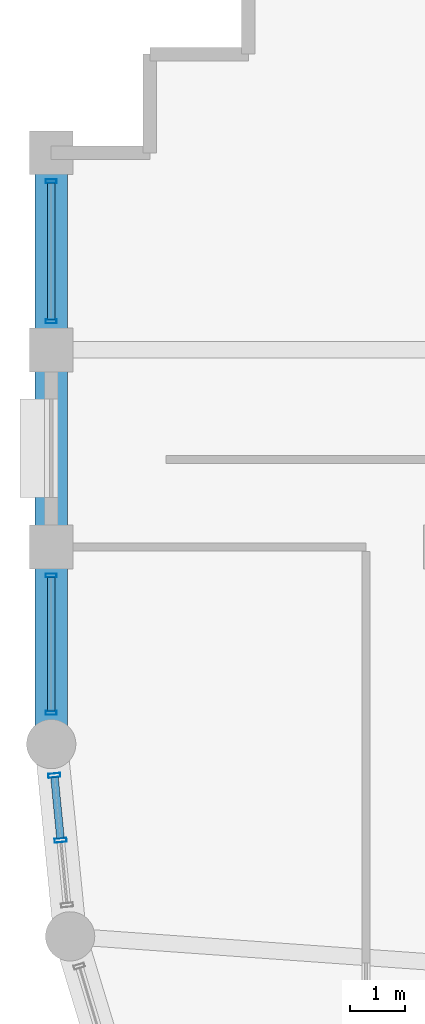
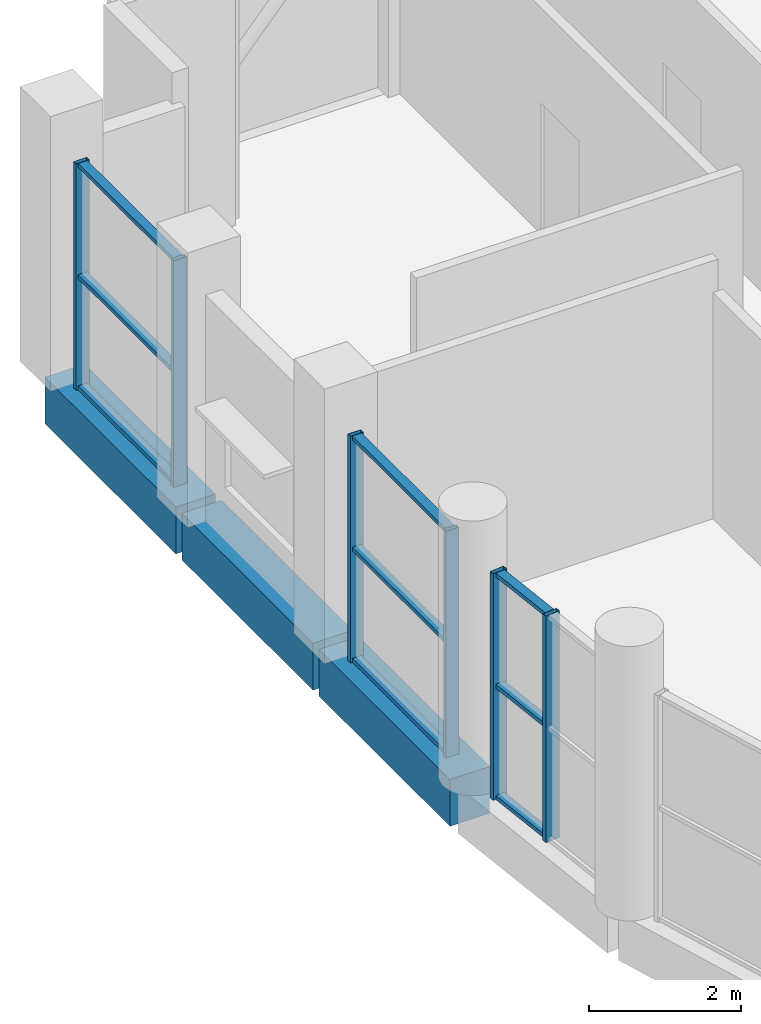
# One storey, part 6 of 18: 15 members, 3 beams, 3 elements without a shape of their own.
"""IFC4 building model written with IfcOpenShell, lengths in metres."""

from ifc_helpers import new_model, si_unit, direction, frame, origin, origin_2d, place, context, subcontext, project, spatial, rectangle, hollow_rectangle, extrude, material, layer, layer_set, material_profile, profile_set, type_object, element, aggregate, save


model = new_model("IFC4")

# Units and contexts
model_context = context("Model", 3, precision=1e-05, world=origin(), true_north=direction((0.0, 1.0)))
body_context = subcontext(model_context, "Body", "Model", "MODEL_VIEW")
ifc_project = project(units=[si_unit("LENGTHUNIT", "METRE"), si_unit("AREAUNIT", "SQUARE_METRE"), si_unit("VOLUMEUNIT", "CUBIC_METRE"), si_unit("PLANEANGLEUNIT", "RADIAN"), si_unit("MASSUNIT", "GRAM", prefix="KILO")], contexts=[model_context])

# Site, building, storey
site_placement = place(None, origin())
site = spatial("IfcSite", under=ifc_project, at=site_placement, CompositionType="ELEMENT")
building_placement = place(site_placement, origin())
building = spatial("IfcBuilding", under=site, at=building_placement, Name="Solnavia Interchange Tower", CompositionType="ELEMENT")
storey_placement = place(building_placement, frame((0.0, 0.0, 295.39990234375)))
storey = spatial("IfcBuildingStorey", under=building, at=storey_placement, Name="L75", CompositionType="ELEMENT", Elevation=295.39990234375)

# Beams
ifc_material_1 = material(Name="Concrete C50/60", Category="concrete")
ifc_material_profile_1 = material_profile(ifc_material_1, rectangle(XDim=0.60009765625, YDim=0.75, at=origin_2d()), Name="RC 600x750")
ifc_profile_set_1 = profile_set([ifc_material_profile_1], Name="Concrete C50/60")
beam_type = type_object("IfcBeamType", Name="Beam-Spandrel-RC600x750", PredefinedType="SPANDREL", material=ifc_profile_set_1)
beam_1_placement = place(storey_placement, frame((7.199951171875, 32.320068359375, -0.375), z_axis=(0.0, -1.0, 0.0), x_axis=(1.0, 0.0, 0.0)))
element("IfcBeam", 1, at=beam_1_placement, inside=storey, type_object=beam_type, Name="SPB-L75-25 Framed-tube perimeter spandrel beam", PredefinedType="SPANDREL", context=body_context, shape_type="SweptSolid", body=[
    extrude(rectangle(XDim=0.60009765625, YDim=0.75, at=origin_2d()), origin(), (0.0, 0.0, 1.0), 3.440185546875),
])
beam_2_placement = place(storey_placement, frame((7.199951171875, 28.719970703125, -0.375), z_axis=(0.0, -1.0, 0.0), x_axis=(1.0, 0.0, 0.0)))
element("IfcBeam", 2, at=beam_2_placement, inside=storey, type_object=beam_type, Name="SPB-L75-26 Framed-tube perimeter spandrel beam", PredefinedType="SPANDREL", context=body_context, shape_type="SweptSolid", body=[
    extrude(rectangle(XDim=0.60009765625, YDim=0.75, at=origin_2d()), origin(), (0.0, 0.0, 1.0), 3.43994140625),
])
beam_3_placement = place(storey_placement, frame((7.199951171875, 25.1201171875, -0.375), z_axis=(0.0, -1.0, 0.0), x_axis=(1.0, 0.0, 0.0)))
element("IfcBeam", 3, at=beam_3_placement, inside=storey, type_object=beam_type, Name="SPB-L75-27 Framed-tube perimeter spandrel beam", PredefinedType="SPANDREL", context=body_context, shape_type="SweptSolid", body=[
    extrude(rectangle(XDim=0.60009765625, YDim=0.75, at=origin_2d()), origin(), (0.0, 0.0, 1.0), 3.440185546875),
])

# Curtain wall, members
ifc_material_2 = material(Name="Aluminium Alloy 6063-T6", Category="aluminium")
ifc_layer_1 = layer(ifc_material_2, 0.239990234375)
ifc_layer_set_1 = layer_set([ifc_layer_1], Name="Aluminium Alloy 6063-T6")
curtain_wall_type_1 = type_object("IfcCurtainWallType", Name="CurtainWall-Drum-CTW2", PredefinedType="NOTDEFINED", material=ifc_layer_set_1)
curtain_wall_1_placement = place(storey_placement, origin())
curtain_wall_1 = element("IfcCurtainWall", 4, at=curtain_wall_1_placement, inside=storey, type_object=curtain_wall_type_1, Name="CTW-L75-D37 CTW-2 curtain wall", PredefinedType="NOTDEFINED")
ifc_material_profile_2 = material_profile(ifc_material_2, hollow_rectangle(XDim=0.074951171875, YDim=0.219970703125, WallThickness=0.0048828125, at=origin_2d()), Name="ALU 220x75x5")
ifc_profile_set_2 = profile_set([ifc_material_profile_2], Name="Aluminium Alloy 6063-T6")
member_type_1 = type_object("IfcMemberType", Name="CW-Mullion-CWM-2", PredefinedType="MULLION", material=ifc_profile_set_2)
member_1_placement = place(storey_placement, frame((7.25634765625, 21.02783203125, 0.0), z_axis=(0.0, 0.0, 1.0), x_axis=(0.098043088306, -0.995182170678, 0.0)))
member_1 = element("IfcMember", 5, at=member_1_placement, type_object=member_type_1, Name="CTW-2 mullion 1", PredefinedType="MULLION", context=body_context, shape_type="SweptSolid", body=[
    extrude(hollow_rectangle(XDim=0.074951171875, YDim=0.219970703125, WallThickness=0.0048828125, at=origin_2d()), origin(), (0.0, 0.0, 1.0), 3.630126953125),
])
member_2_placement = place(storey_placement, frame((7.373046875, 19.843994140625, 0.0), z_axis=(0.0, 0.0, 1.0), x_axis=(0.098043088306, -0.995182170678, 0.0)))
member_2 = element("IfcMember", 6, at=member_2_placement, type_object=member_type_1, Name="CTW-2 mullion 2", PredefinedType="MULLION", context=body_context, shape_type="SweptSolid", body=[
    extrude(hollow_rectangle(XDim=0.074951171875, YDim=0.219970703125, WallThickness=0.0048828125, at=origin_2d()), origin(), (0.0, 0.0, 1.0), 3.630126953125),
])

ifc_layer_2 = layer(ifc_material_2, 0.219970703125)
ifc_layer_set_2 = layer_set([ifc_layer_2], Name="Aluminium Alloy 6063-T6")
curtain_wall_type_2 = type_object("IfcCurtainWallType", Name="CurtainWall-Tower-CTW3", PredefinedType="NOTDEFINED", material=ifc_layer_set_2)
curtain_wall_2_placement = place(storey_placement, origin())
curtain_wall_2 = element("IfcCurtainWall", 7, at=curtain_wall_2_placement, inside=storey, type_object=curtain_wall_type_2, Name="CTW-L75-S34 CTW-3 curtain wall", PredefinedType="NOTDEFINED")
ifc_material_profile_3 = material_profile(ifc_material_2, hollow_rectangle(XDim=0.070068359375, YDim=0.199951171875, WallThickness=0.0048828125, at=origin_2d()), Name="ALU 200x70x5")
ifc_profile_set_3 = profile_set([ifc_material_profile_3], Name="Aluminium Alloy 6063-T6")
member_type_2 = type_object("IfcMemberType", Name="CW-Mullion-CWM-3", PredefinedType="MULLION", material=ifc_profile_set_3)
member_3_placement = place(storey_placement, frame((7.199951171875, 31.8798828125, 0.0), z_axis=(0.0, 0.0, 1.0), x_axis=(0.0, -1.0, 0.0)))
member_3 = element("IfcMember", 8, at=member_3_placement, type_object=member_type_2, Name="CTW-3 mullion 1", PredefinedType="MULLION", context=body_context, shape_type="SweptSolid", body=[
    extrude(hollow_rectangle(XDim=0.070068359375, YDim=0.199951171875, WallThickness=0.0048828125, at=origin_2d()), origin(), (0.0, 0.0, 1.0), 3.630126953125),
])
member_4_placement = place(storey_placement, frame((7.199951171875, 29.320068359375, 0.0), z_axis=(0.0, 0.0, 1.0), x_axis=(0.0, -1.0, 0.0)))
member_4 = element("IfcMember", 9, at=member_4_placement, type_object=member_type_2, Name="CTW-3 mullion 2", PredefinedType="MULLION", context=body_context, shape_type="SweptSolid", body=[
    extrude(hollow_rectangle(XDim=0.070068359375, YDim=0.199951171875, WallThickness=0.0048828125, at=origin_2d()), origin(), (0.0, 0.0, 1.0), 3.630126953125),
])

curtain_wall_3_placement = place(storey_placement, origin())
curtain_wall_3 = element("IfcCurtainWall", 10, at=curtain_wall_3_placement, inside=storey, type_object=curtain_wall_type_2, Name="CTW-L75-S36 CTW-3 curtain wall", PredefinedType="NOTDEFINED")
member_5_placement = place(storey_placement, frame((7.199951171875, 24.679931640625, 0.0), z_axis=(0.0, 0.0, 1.0), x_axis=(0.0, -1.0, 0.0)))
member_5 = element("IfcMember", 11, at=member_5_placement, type_object=member_type_2, Name="CTW-3 mullion 1", PredefinedType="MULLION", context=body_context, shape_type="SweptSolid", body=[
    extrude(hollow_rectangle(XDim=0.070068359375, YDim=0.199951171875, WallThickness=0.0048828125, at=origin_2d()), origin(), (0.0, 0.0, 1.0), 3.630126953125),
])
member_6_placement = place(storey_placement, frame((7.199951171875, 22.169921875, 0.0), z_axis=(0.0, 0.0, 1.0), x_axis=(0.0, -1.0, 0.0)))
member_6 = element("IfcMember", 12, at=member_6_placement, type_object=member_type_2, Name="CTW-3 mullion 2", PredefinedType="MULLION", context=body_context, shape_type="SweptSolid", body=[
    extrude(hollow_rectangle(XDim=0.070068359375, YDim=0.199951171875, WallThickness=0.0048828125, at=origin_2d()), origin(), (0.0, 0.0, 1.0), 3.630126953125),
])

# Member
ifc_material_profile_4 = material_profile(ifc_material_2, hollow_rectangle(XDim=0.06494140625, YDim=0.139892578125, WallThickness=0.00390625, at=origin_2d()), Name="ALU 140x65x4")
ifc_profile_set_4 = profile_set([ifc_material_profile_4], Name="Aluminium Alloy 6063-T6")
member_type_3 = type_object("IfcMemberType", Name="CW-Transom-CWT-2", PredefinedType="USERDEFINED", material=ifc_profile_set_4)
member_7_placement = place(storey_placement, frame((7.260009765625, 20.990478515625, 0.03271484375), z_axis=(0.098137234257, -0.995172891136, 0.0), x_axis=(0.0, 0.0, 1.0)))
member_7 = element("IfcMember", 13, at=member_7_placement, type_object=member_type_3, Name="CTW-2 transom 1.1", ObjectType="TRANSOM", PredefinedType="USERDEFINED", context=body_context, shape_type="SweptSolid", body=[
    extrude(hollow_rectangle(XDim=0.06494140625, YDim=0.139892578125, WallThickness=0.00390625, at=origin_2d()), origin(), (0.0, 0.0, 1.0), 1.114501953125),
])

member_8_placement = place(storey_placement, frame((7.260009765625, 20.990478515625, 1.815185546875), z_axis=(0.098137234257, -0.995172891136, 0.0), x_axis=(0.0, 0.0, 1.0)))
member_8 = element("IfcMember", 14, at=member_8_placement, type_object=member_type_3, Name="CTW-2 transom 1.2", ObjectType="TRANSOM", PredefinedType="USERDEFINED", context=body_context, shape_type="SweptSolid", body=[
    extrude(hollow_rectangle(XDim=0.06494140625, YDim=0.139892578125, WallThickness=0.00390625, at=origin_2d()), origin(), (0.0, 0.0, 1.0), 1.114501953125),
])

member_9_placement = place(storey_placement, frame((7.260009765625, 20.990478515625, 3.59765625), z_axis=(0.098137234257, -0.995172891136, 0.0), x_axis=(0.0, 0.0, 1.0)))
member_9 = element("IfcMember", 15, at=member_9_placement, type_object=member_type_3, Name="CTW-2 transom 1.3", ObjectType="TRANSOM", PredefinedType="USERDEFINED", context=body_context, shape_type="SweptSolid", body=[
    extrude(hollow_rectangle(XDim=0.06494140625, YDim=0.139892578125, WallThickness=0.00390625, at=origin_2d()), origin(), (0.0, 0.0, 1.0), 1.114501953125),
])

aggregate(curtain_wall_1, [member_1, member_2, member_7, member_8, member_9])

ifc_material_profile_5 = material_profile(ifc_material_2, hollow_rectangle(XDim=0.06494140625, YDim=0.139892578125, WallThickness=0.00390625, at=origin_2d()), Name="ALU 140x65x4")
ifc_profile_set_5 = profile_set([ifc_material_profile_5], Name="Aluminium Alloy 6063-T6")
member_type_4 = type_object("IfcMemberType", Name="CW-Transom-CWT-3", PredefinedType="USERDEFINED", material=ifc_profile_set_5)
member_10_placement = place(storey_placement, frame((7.199951171875, 31.844970703125, 0.03271484375), z_axis=(0.0, -1.0, 0.0), x_axis=(0.0, 0.0, 1.0)))
member_10 = element("IfcMember", 16, at=member_10_placement, type_object=member_type_4, Name="CTW-3 transom 1.1", ObjectType="TRANSOM", PredefinedType="USERDEFINED", context=body_context, shape_type="SweptSolid", body=[
    extrude(hollow_rectangle(XDim=0.06494140625, YDim=0.139892578125, WallThickness=0.00390625, at=origin_2d()), origin(), (0.0, 0.0, 1.0), 2.489990234375),
])

member_11_placement = place(storey_placement, frame((7.199951171875, 31.844970703125, 1.815185546875), z_axis=(0.0, -1.0, 0.0), x_axis=(0.0, 0.0, 1.0)))
member_11 = element("IfcMember", 17, at=member_11_placement, type_object=member_type_4, Name="CTW-3 transom 1.2", ObjectType="TRANSOM", PredefinedType="USERDEFINED", context=body_context, shape_type="SweptSolid", body=[
    extrude(hollow_rectangle(XDim=0.06494140625, YDim=0.139892578125, WallThickness=0.00390625, at=origin_2d()), origin(), (0.0, 0.0, 1.0), 2.489990234375),
])

member_12_placement = place(storey_placement, frame((7.199951171875, 31.844970703125, 3.59765625), z_axis=(0.0, -1.0, 0.0), x_axis=(0.0, 0.0, 1.0)))
member_12 = element("IfcMember", 18, at=member_12_placement, type_object=member_type_4, Name="CTW-3 transom 1.3", ObjectType="TRANSOM", PredefinedType="USERDEFINED", context=body_context, shape_type="SweptSolid", body=[
    extrude(hollow_rectangle(XDim=0.06494140625, YDim=0.139892578125, WallThickness=0.00390625, at=origin_2d()), origin(), (0.0, 0.0, 1.0), 2.489990234375),
])

aggregate(curtain_wall_2, [member_3, member_4, member_10, member_11, member_12])

member_13_placement = place(storey_placement, frame((7.199951171875, 24.64501953125, 0.03271484375), z_axis=(0.0, -1.0, 0.0), x_axis=(0.0, 0.0, 1.0)))
member_13 = element("IfcMember", 19, at=member_13_placement, type_object=member_type_4, Name="CTW-3 transom 1.1", ObjectType="TRANSOM", PredefinedType="USERDEFINED", context=body_context, shape_type="SweptSolid", body=[
    extrude(hollow_rectangle(XDim=0.06494140625, YDim=0.139892578125, WallThickness=0.00390625, at=origin_2d()), origin(), (0.0, 0.0, 1.0), 2.43994140625),
])

member_14_placement = place(storey_placement, frame((7.199951171875, 24.64501953125, 1.815185546875), z_axis=(0.0, -1.0, 0.0), x_axis=(0.0, 0.0, 1.0)))
member_14 = element("IfcMember", 20, at=member_14_placement, type_object=member_type_4, Name="CTW-3 transom 1.2", ObjectType="TRANSOM", PredefinedType="USERDEFINED", context=body_context, shape_type="SweptSolid", body=[
    extrude(hollow_rectangle(XDim=0.06494140625, YDim=0.139892578125, WallThickness=0.00390625, at=origin_2d()), origin(), (0.0, 0.0, 1.0), 2.43994140625),
])

member_15_placement = place(storey_placement, frame((7.199951171875, 24.64501953125, 3.59765625), z_axis=(0.0, -1.0, 0.0), x_axis=(0.0, 0.0, 1.0)))
member_15 = element("IfcMember", 21, at=member_15_placement, type_object=member_type_4, Name="CTW-3 transom 1.3", ObjectType="TRANSOM", PredefinedType="USERDEFINED", context=body_context, shape_type="SweptSolid", body=[
    extrude(hollow_rectangle(XDim=0.06494140625, YDim=0.139892578125, WallThickness=0.00390625, at=origin_2d()), origin(), (0.0, 0.0, 1.0), 2.43994140625),
])

aggregate(curtain_wall_3, [member_5, member_6, member_13, member_14, member_15])

save(model, "model.ifc")
